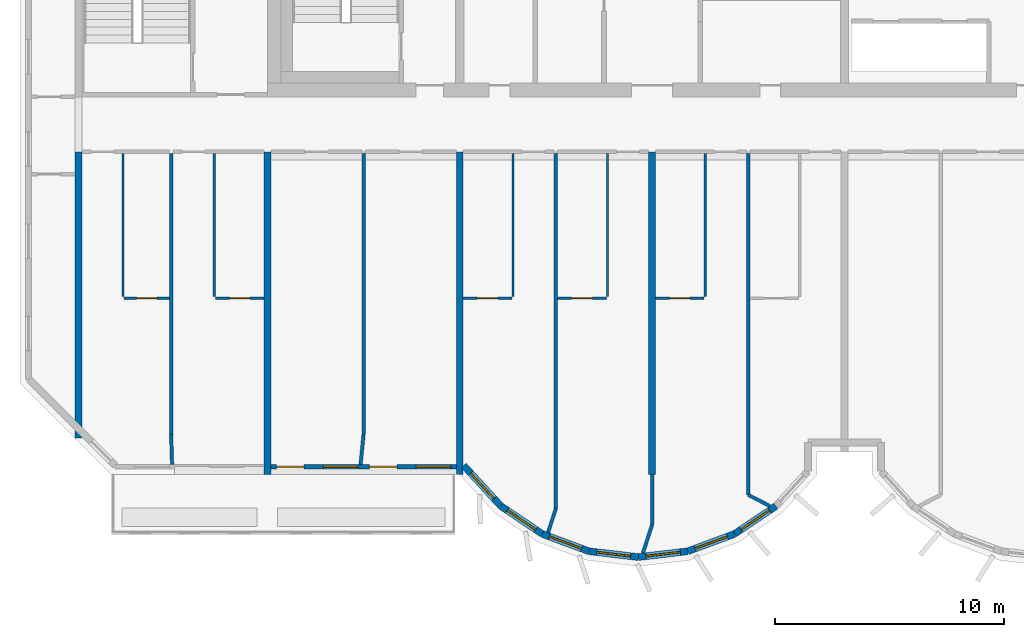
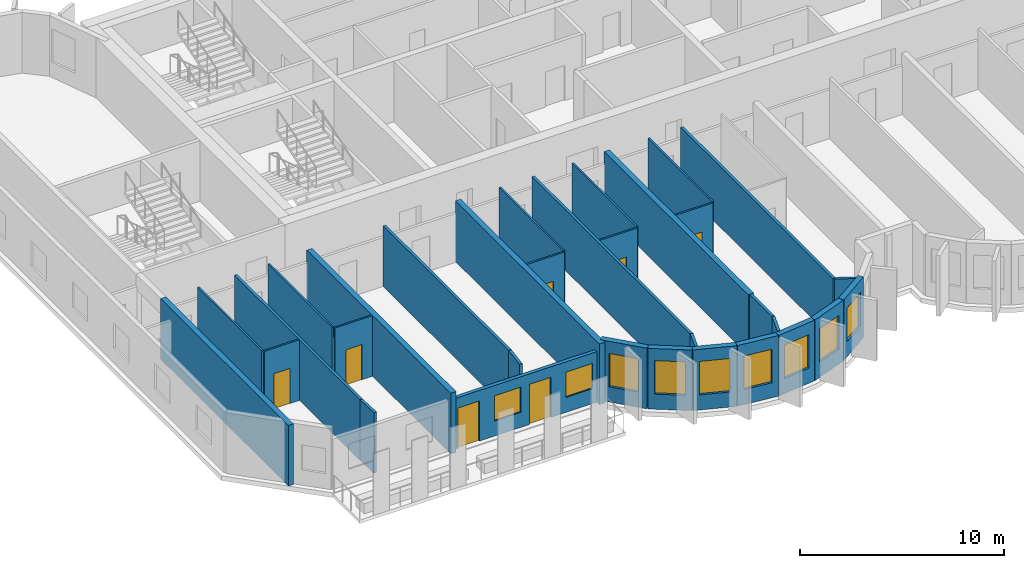
# One storey, part 2 of 12: 32 walls, 9 windows, 7 doors, 16 openings.
"""IFC4 building model written with IfcOpenShell, lengths in metres."""

from ifc_helpers import new_model, si_unit, direction, frame, frame_2d, origin, place, context, subcontext, project, spatial, rectangle, extrude, source, transform, mapped, material, layer, layer_set, type_object, element, fill, save


model = new_model("IFC4")

# Units and contexts
model_context = context("Model", 3, precision=1e-05, world=origin(), true_north=direction((0.0, 1.0)))
body_context = subcontext(model_context, "Body", "Model", "MODEL_VIEW")
ifc_project = project(units=[si_unit("LENGTHUNIT", "METRE"), si_unit("AREAUNIT", "SQUARE_METRE"), si_unit("VOLUMEUNIT", "CUBIC_METRE"), si_unit("PLANEANGLEUNIT", "RADIAN"), si_unit("MASSUNIT", "GRAM", prefix="KILO")], contexts=[model_context])

# Site, building, storey
site_placement = place(None, origin())
site = spatial("IfcSite", under=ifc_project, at=site_placement, CompositionType="ELEMENT")
building_placement = place(site_placement, origin())
building = spatial("IfcBuilding", under=site, at=building_placement, Name="Vanashikhar Sky Hotel", CompositionType="ELEMENT")
storey_placement = place(building_placement, frame((0.0, 0.0, 237.39990234375)))
storey = spatial("IfcBuildingStorey", under=building, at=storey_placement, Name="L57", CompositionType="ELEMENT", Elevation=237.39990234375)

# Walls
ifc_material_1 = material(Name="Concrete M60", Category="concrete")
ifc_layer_1 = layer(ifc_material_1, 0.300048828125)
ifc_layer_set_1 = layer_set([ifc_layer_1], Name="RC shear wall 300 Concrete M60")
wall_type_1 = type_object("IfcWallType", Name="RC shear wall 300 Concrete M60", PredefinedType="SHEAR", material=ifc_layer_set_1)
shared_shape_1 = source(origin(), body_context, "Body", "SweptSolid", [
    extrude(rectangle(XDim=12.5, YDim=0.300048828125, at=frame_2d((6.25, 0.0))), origin(), (0.0, 0.0, 1.0), 3.6201171875),
])
wall_1_placement = place(storey_placement, frame((16.949951171875, 7.10009765625, 0.0), z_axis=(0.0, 0.0, 1.0), x_axis=(0.0, 1.0, 0.0)))
element("IfcWall", 1, at=wall_1_placement, inside=storey, type_object=wall_type_1, Name="CW-L57-XW03-1", PredefinedType="SHEAR", context=body_context, shape_type="MappedRepresentation", body=[
    mapped(shared_shape_1, transform((0.0, 0.0, 0.0), scale=1.0)),
])
shared_shape_2 = source(origin(), body_context, "Body", "SweptSolid", [
    extrude(rectangle(XDim=14.10009765625, YDim=0.300048828125, at=frame_2d((7.050048828125, 0.0))), origin(), (0.0, 0.0, 1.0), 3.6201171875),
])
for number, where, z_axis, x_axis, name in (
    (2, (25.199951171875, 5.5, 0.0), (0.0, 0.0, 1.0), (0.0, 1.0, 0.0), "CW-L57-XW04-1"),
    (3, (33.60009765625, 5.5, 0.0), (0.0, 0.0, 1.0), (0.0, 1.0, 0.0), "CW-L57-XW05-1"),
    (4, (42.0, 5.5, 0.0), (0.0, 0.0, 1.0), (0.0, 1.0, 0.0), "CW-L57-XW06-1"),
):
    element("IfcWall", number, at=place(storey_placement, frame(where, z_axis=z_axis, x_axis=x_axis)), inside=storey, type_object=wall_type_1, Name=name, PredefinedType="SHEAR", context=body_context, shape_type="MappedRepresentation", body=[
        mapped(shared_shape_2, transform((0.0, 0.0, 0.0), scale=1.0)),
    ])

# Wall, openings, windows, doors
ifc_material_2 = material(Name="Concrete M50", Category="concrete")
ifc_layer_2 = layer(ifc_material_2, 0.199951171875)
ifc_layer_set_2 = layer_set([ifc_layer_2], Name="Front window wall 200")
wall_type_2 = type_object("IfcWallType", Name="Front window wall 200", PredefinedType="SOLIDWALL", material=ifc_layer_set_2)
shared_shape_3 = source(origin(), body_context, "Body", "SweptSolid", [
    extrude(rectangle(XDim=8.099853515625, YDim=0.199951171875, at=frame_2d((4.0498046875, 0.0))), origin(), (0.0, 0.0, 1.0), 3.02001953125),
])
wall_2_placement = place(storey_placement, frame((25.35009765625, 5.85009765625, 0.0), z_axis=(0.0, 0.0, 1.0), x_axis=(1.0, 0.0, 0.0)))
wall_2 = element("IfcWall", 5, at=wall_2_placement, inside=storey, type_object=wall_type_2, Name="Front window wall", PredefinedType="SOLIDWALL", context=body_context, shape_type="MappedRepresentation", body=[
    mapped(shared_shape_3, transform((0.0, 0.0, 0.0), scale=1.0)),
])
shared_shape_4 = source(origin(), body_context, "Body", "SweptSolid", [
    extrude(rectangle(XDim=1.199951171875, YDim=2.39990234375, at=frame_2d((0.60009765625, 1.199951171875))), frame((0.0, 0.10986328125, 0.0), z_axis=(0.0, -1.0, 0.0), x_axis=(1.0, 0.0, 0.0)), (0.0, 0.0, 1.0), 0.219970703125),
])
opening_1_placement = place(wall_2_placement, frame((0.25, 0.0, 0.0)))
opening_1 = element("IfcOpeningElement", 6, at=opening_1_placement, cuts=wall_2, Name="Opening BD-01", PredefinedType="OPENING", context=body_context, shape_type="MappedRepresentation", body=[
    mapped(shared_shape_4, transform((0.0, 0.0, 0.0), scale=1.0)),
])
shared_shape_5 = source(origin(), body_context, "Body", "SweptSolid", [
    extrude(rectangle(XDim=1.5, YDim=1.5, at=frame_2d((0.75, 0.75))), frame((0.0, 0.10986328125, 0.0), z_axis=(0.0, -1.0, 0.0), x_axis=(1.0, 0.0, 0.0)), (0.0, 0.0, 1.0), 0.219970703125),
])
opening_2_placement = place(wall_2_placement, frame((2.300048828125, 0.0, 0.89990234375)))
opening_2 = element("IfcOpeningElement", 7, at=opening_2_placement, cuts=wall_2, Name="Opening WN-1", PredefinedType="OPENING", context=body_context, shape_type="MappedRepresentation", body=[
    mapped(shared_shape_5, transform((0.0, 0.0, 0.0), scale=1.0)),
])
opening_3_placement = place(wall_2_placement, frame((4.300048828125, 0.0, 0.0)))
opening_3 = element("IfcOpeningElement", 8, at=opening_3_placement, cuts=wall_2, Name="Opening BD-02", PredefinedType="OPENING", context=body_context, shape_type="MappedRepresentation", body=[
    mapped(shared_shape_4, transform((0.0, 0.0, 0.0), scale=1.0)),
])
opening_4_placement = place(wall_2_placement, frame((6.35009765625, 0.0, 0.89990234375)))
opening_4 = element("IfcOpeningElement", 9, at=opening_4_placement, cuts=wall_2, Name="Opening WN-1", PredefinedType="OPENING", context=body_context, shape_type="MappedRepresentation", body=[
    mapped(shared_shape_5, transform((0.0, 0.0, 0.0), scale=1.0)),
])
ifc_material_3 = material(Name="Glass", Category="glass")
window_type_1 = type_object("IfcWindowType", Name="Window 1500 x 1500", PartitioningType="SINGLE_PANEL", PredefinedType="WINDOW", material=ifc_material_3)
shared_shape_6 = source(origin(), body_context, "Body", "SweptSolid", [
    extrude(rectangle(XDim=1.5, YDim=1.5, at=frame_2d((0.75, 0.75))), frame((0.0, 0.030029296875, 0.0), z_axis=(0.0, -1.0, 0.0), x_axis=(1.0, 0.0, 0.0)), (0.0, 0.0, 1.0), 0.06005859375),
])
window_1_placement = place(opening_2_placement, origin())
window_1 = element("IfcWindow", 10, at=window_1_placement, inside=storey, type_object=window_type_1, Name="Window WN-1", OverallHeight=1.5, OverallWidth=1.5, PartitioningType="SINGLE_PANEL", PredefinedType="WINDOW", context=body_context, shape_type="MappedRepresentation", body=[
    mapped(shared_shape_6, transform((0.0, 0.0, 0.0), scale=1.0)),
])
fill(opening_2, window_1)
window_2_placement = place(opening_4_placement, origin())
window_2 = element("IfcWindow", 11, at=window_2_placement, inside=storey, type_object=window_type_1, Name="Window WN-1", OverallHeight=1.5, OverallWidth=1.5, PartitioningType="SINGLE_PANEL", PredefinedType="WINDOW", context=body_context, shape_type="MappedRepresentation", body=[
    mapped(shared_shape_6, transform((0.0, 0.0, 0.0), scale=1.0)),
])
fill(opening_4, window_2)
ifc_material_4 = material(Name="Aluminium", Category="aluminium")
door_type_1 = type_object("IfcDoorType", Name="Balcony sliding door 1200 x 2400", OperationType="NOTDEFINED", PredefinedType="DOOR", material=ifc_material_4)
shared_shape_7 = source(origin(), body_context, "Body", "SweptSolid", [
    extrude(rectangle(XDim=1.199951171875, YDim=2.39990234375, at=frame_2d((0.60009765625, 1.199951171875))), frame((0.0, 0.02490234375, 0.0), z_axis=(0.0, -1.0, 0.0), x_axis=(1.0, 0.0, 0.0)), (0.0, 0.0, 1.0), 0.050048828125),
])
door_1_placement = place(opening_1_placement, origin())
door_1 = element("IfcDoor", 12, at=door_1_placement, inside=storey, type_object=door_type_1, Name="Balcony sliding door", OperationType="SLIDING_TO_LEFT", OverallHeight=2.39990234375, OverallWidth=1.199951171875, PredefinedType="DOOR", context=body_context, shape_type="MappedRepresentation", body=[
    mapped(shared_shape_7, transform((0.0, 0.0, 0.0), scale=1.0)),
])
fill(opening_1, door_1)
door_2_placement = place(opening_3_placement, origin())
door_2 = element("IfcDoor", 13, at=door_2_placement, inside=storey, type_object=door_type_1, Name="Balcony sliding door", OperationType="SLIDING_TO_RIGHT", OverallHeight=2.39990234375, OverallWidth=1.199951171875, PredefinedType="DOOR", context=body_context, shape_type="MappedRepresentation", body=[
    mapped(shared_shape_7, transform((0.0, 0.0, 0.0), scale=1.0)),
])
fill(opening_3, door_2)

# Wall, opening, window
ifc_layer_3 = layer(ifc_material_2, 0.300048828125)
ifc_layer_set_3 = layer_set([ifc_layer_3], Name="Lobe wall 300")
wall_type_3 = type_object("IfcWallType", Name="Lobe wall 300", PredefinedType="SOLIDWALL", material=ifc_layer_set_3)
shared_shape_8 = source(origin(), body_context, "Body", "SweptSolid", [
    extrude(rectangle(XDim=2.398193359375, YDim=0.300048828125, at=frame_2d((1.19921875, 0.0))), origin(), (0.0, 0.0, 1.0), 3.6201171875),
])
wall_3_placement = place(storey_placement, frame((33.776123046875, 5.89990234375, 0.0), z_axis=(0.0, 0.0, 1.0), x_axis=(0.675374189419, -0.737475222815, 0.0)))
wall_3 = element("IfcWall", 14, at=wall_3_placement, inside=storey, type_object=wall_type_3, Name="Lobe wall", PredefinedType="SOLIDWALL", context=body_context, shape_type="MappedRepresentation", body=[
    mapped(shared_shape_8, transform((0.0, 0.0, 0.0), scale=1.0)),
])
shared_shape_9 = source(origin(), body_context, "Body", "SweptSolid", [
    extrude(rectangle(XDim=1.5, YDim=2.0, at=frame_2d((0.75, 1.0))), frame((0.0, 0.16015625, 0.0), z_axis=(0.0, -1.0, 0.0), x_axis=(1.0, 0.0, 0.0)), (0.0, 0.0, 1.0), 0.320068359375),
])
opening_5_placement = place(wall_3_placement, frame((0.44921875, 0.0, 0.89990234375)))
opening_5 = element("IfcOpeningElement", 15, at=opening_5_placement, cuts=wall_3, Name="Opening WN-2", PredefinedType="OPENING", context=body_context, shape_type="MappedRepresentation", body=[
    mapped(shared_shape_9, transform((0.0, 0.0, 0.0), scale=1.0)),
])
window_type_2 = type_object("IfcWindowType", Name="Lobe window 1500 x 2000", PartitioningType="SINGLE_PANEL", PredefinedType="WINDOW", material=ifc_material_3)
shared_shape_10 = source(origin(), body_context, "Body", "SweptSolid", [
    extrude(rectangle(XDim=1.5, YDim=2.0, at=frame_2d((0.75, 1.0))), frame((0.0, 0.030029296875, 0.0), z_axis=(0.0, -1.0, 0.0), x_axis=(1.0, 0.0, 0.0)), (0.0, 0.0, 1.0), 0.06005859375),
])
window_3_placement = place(opening_5_placement, origin())
window_3 = element("IfcWindow", 16, at=window_3_placement, inside=storey, type_object=window_type_2, Name="Window WN-2", OverallHeight=2.0, OverallWidth=1.5, PartitioningType="SINGLE_PANEL", PredefinedType="WINDOW", context=body_context, shape_type="MappedRepresentation", body=[
    mapped(shared_shape_10, transform((0.0, 0.0, 0.0), scale=1.0)),
])
fill(opening_5, window_3)

shared_shape_11 = source(origin(), body_context, "Body", "SweptSolid", [
    extrude(rectangle(XDim=2.17578125, YDim=0.300048828125, at=frame_2d((1.087890625, 0.0))), origin(), (0.0, 0.0, 1.0), 3.6201171875),
])
wall_4_placement = place(storey_placement, frame((35.395751953125, 4.13134765625, 0.0), z_axis=(0.0, 0.0, 1.0), x_axis=(0.829590746428, -0.558371913192, 0.0)))
wall_4 = element("IfcWall", 17, at=wall_4_placement, inside=storey, type_object=wall_type_3, Name="Lobe wall", PredefinedType="SOLIDWALL", context=body_context, shape_type="MappedRepresentation", body=[
    mapped(shared_shape_11, transform((0.0, 0.0, 0.0), scale=1.0)),
])
opening_6_placement = place(wall_4_placement, frame((0.337890625, 0.0, 0.89990234375)))
opening_6 = element("IfcOpeningElement", 18, at=opening_6_placement, cuts=wall_4, Name="Opening WN-2", PredefinedType="OPENING", context=body_context, shape_type="MappedRepresentation", body=[
    mapped(shared_shape_9, transform((0.0, 0.0, 0.0), scale=1.0)),
])
window_4_placement = place(opening_6_placement, origin())
window_4 = element("IfcWindow", 19, at=window_4_placement, inside=storey, type_object=window_type_2, Name="Window WN-2", OverallHeight=2.0, OverallWidth=1.5, PartitioningType="SINGLE_PANEL", PredefinedType="WINDOW", context=body_context, shape_type="MappedRepresentation", body=[
    mapped(shared_shape_10, transform((0.0, 0.0, 0.0), scale=1.0)),
])
fill(opening_6, window_4)

wall_5_placement = place(storey_placement, frame((37.20068359375, 2.91650390625, 0.0), z_axis=(0.0, 0.0, 1.0), x_axis=(0.93754555999, -0.347862505801, 0.0)))
wall_5 = element("IfcWall", 20, at=wall_5_placement, inside=storey, type_object=wall_type_3, Name="Lobe wall", PredefinedType="SOLIDWALL", context=body_context, shape_type="MappedRepresentation", body=[
    mapped(shared_shape_11, transform((0.0, 0.0, 0.0), scale=1.0)),
])
opening_7_placement = place(wall_5_placement, frame((0.337890625, 0.0, 0.89990234375)))
opening_7 = element("IfcOpeningElement", 21, at=opening_7_placement, cuts=wall_5, Name="Opening WN-2", PredefinedType="OPENING", context=body_context, shape_type="MappedRepresentation", body=[
    mapped(shared_shape_9, transform((0.0, 0.0, 0.0), scale=1.0)),
])
window_5_placement = place(opening_7_placement, origin())
window_5 = element("IfcWindow", 22, at=window_5_placement, inside=storey, type_object=window_type_2, Name="Window WN-2", OverallHeight=2.0, OverallWidth=1.5, PartitioningType="SINGLE_PANEL", PredefinedType="WINDOW", context=body_context, shape_type="MappedRepresentation", body=[
    mapped(shared_shape_10, transform((0.0, 0.0, 0.0), scale=1.0)),
])
fill(opening_7, window_5)

wall_6_placement = place(storey_placement, frame((45.59912109375, 2.91650390625, 0.0), z_axis=(0.0, 0.0, 1.0), x_axis=(0.829625727223, 0.558319937607, 0.0)))
wall_6 = element("IfcWall", 23, at=wall_6_placement, inside=storey, type_object=wall_type_3, Name="Lobe wall", PredefinedType="SOLIDWALL", context=body_context, shape_type="MappedRepresentation", body=[
    mapped(shared_shape_11, transform((0.0, 0.0, 0.0), scale=1.0)),
])
opening_8_placement = place(wall_6_placement, frame((0.337890625, 0.0, 0.89990234375)))
opening_8 = element("IfcOpeningElement", 24, at=opening_8_placement, cuts=wall_6, Name="Opening WN-2", PredefinedType="OPENING", context=body_context, shape_type="MappedRepresentation", body=[
    mapped(shared_shape_9, transform((0.0, 0.0, 0.0), scale=1.0)),
])
window_6_placement = place(opening_8_placement, origin())
window_6 = element("IfcWindow", 25, at=window_6_placement, inside=storey, type_object=window_type_2, Name="Window WN-2", OverallHeight=2.0, OverallWidth=1.5, PartitioningType="SINGLE_PANEL", PredefinedType="WINDOW", context=body_context, shape_type="MappedRepresentation", body=[
    mapped(shared_shape_10, transform((0.0, 0.0, 0.0), scale=1.0)),
])
fill(opening_8, window_6)

shared_shape_12 = source(origin(), body_context, "Body", "SweptSolid", [
    extrude(rectangle(XDim=2.174560546875, YDim=0.300048828125, at=frame_2d((1.08740234375, 0.0))), origin(), (0.0, 0.0, 1.0), 3.6201171875),
])
wall_7_placement = place(storey_placement, frame((39.240478515625, 2.15966796875, 0.0), z_axis=(0.0, 0.0, 1.0), x_axis=(0.993001132889, -0.118104826659, 0.0)))
wall_7 = element("IfcWall", 26, at=wall_7_placement, inside=storey, type_object=wall_type_3, Name="Lobe wall", PredefinedType="SOLIDWALL", context=body_context, shape_type="MappedRepresentation", body=[
    mapped(shared_shape_12, transform((0.0, 0.0, 0.0), scale=1.0)),
])
opening_9_placement = place(wall_7_placement, frame((0.33740234375, 0.0, 0.89990234375)))
opening_9 = element("IfcOpeningElement", 27, at=opening_9_placement, cuts=wall_7, Name="Opening WN-2", PredefinedType="OPENING", context=body_context, shape_type="MappedRepresentation", body=[
    mapped(shared_shape_9, transform((0.0, 0.0, 0.0), scale=1.0)),
])
window_7_placement = place(opening_9_placement, origin())
window_7 = element("IfcWindow", 28, at=window_7_placement, inside=storey, type_object=window_type_2, Name="Window WN-2", OverallHeight=2.0, OverallWidth=1.5, PartitioningType="SINGLE_PANEL", PredefinedType="WINDOW", context=body_context, shape_type="MappedRepresentation", body=[
    mapped(shared_shape_10, transform((0.0, 0.0, 0.0), scale=1.0)),
])
fill(opening_9, window_7)

shared_shape_13 = source(origin(), body_context, "Body", "SweptSolid", [
    extrude(rectangle(XDim=2.1748046875, YDim=0.300048828125, at=frame_2d((1.08740234375, 0.0))), origin(), (0.0, 0.0, 1.0), 3.6201171875),
])
wall_8_placement = place(storey_placement, frame((41.39990234375, 1.90283203125, 0.0), z_axis=(0.0, 0.0, 1.0), x_axis=(0.993002698611, 0.118091661648, 0.0)))
wall_8 = element("IfcWall", 29, at=wall_8_placement, inside=storey, type_object=wall_type_3, Name="Lobe wall", PredefinedType="SOLIDWALL", context=body_context, shape_type="MappedRepresentation", body=[
    mapped(shared_shape_13, transform((0.0, 0.0, 0.0), scale=1.0)),
])
opening_10_placement = place(wall_8_placement, frame((0.33740234375, 0.0, 0.89990234375)))
opening_10 = element("IfcOpeningElement", 30, at=opening_10_placement, cuts=wall_8, Name="Opening WN-2", PredefinedType="OPENING", context=body_context, shape_type="MappedRepresentation", body=[
    mapped(shared_shape_9, transform((0.0, 0.0, 0.0), scale=1.0)),
])
window_8_placement = place(opening_10_placement, origin())
window_8 = element("IfcWindow", 31, at=window_8_placement, inside=storey, type_object=window_type_2, Name="Window WN-2", OverallHeight=2.0, OverallWidth=1.5, PartitioningType="SINGLE_PANEL", PredefinedType="WINDOW", context=body_context, shape_type="MappedRepresentation", body=[
    mapped(shared_shape_10, transform((0.0, 0.0, 0.0), scale=1.0)),
])
fill(opening_10, window_8)

shared_shape_14 = source(origin(), body_context, "Body", "SweptSolid", [
    extrude(rectangle(XDim=2.175537109375, YDim=0.300048828125, at=frame_2d((1.087890625, 0.0))), origin(), (0.0, 0.0, 1.0), 3.6201171875),
])
wall_9_placement = place(storey_placement, frame((43.5595703125, 2.15966796875, 0.0), z_axis=(0.0, 0.0, 1.0), x_axis=(0.937531979054, 0.347899106424, 0.0)))
wall_9 = element("IfcWall", 32, at=wall_9_placement, inside=storey, type_object=wall_type_3, Name="Lobe wall", PredefinedType="SOLIDWALL", context=body_context, shape_type="MappedRepresentation", body=[
    mapped(shared_shape_14, transform((0.0, 0.0, 0.0), scale=1.0)),
])
opening_11_placement = place(wall_9_placement, frame((0.337890625, 0.0, 0.89990234375)))
opening_11 = element("IfcOpeningElement", 33, at=opening_11_placement, cuts=wall_9, Name="Opening WN-2", PredefinedType="OPENING", context=body_context, shape_type="MappedRepresentation", body=[
    mapped(shared_shape_9, transform((0.0, 0.0, 0.0), scale=1.0)),
])
window_9_placement = place(opening_11_placement, origin())
window_9 = element("IfcWindow", 34, at=window_9_placement, inside=storey, type_object=window_type_2, Name="Window WN-2", OverallHeight=2.0, OverallWidth=1.5, PartitioningType="SINGLE_PANEL", PredefinedType="WINDOW", context=body_context, shape_type="MappedRepresentation", body=[
    mapped(shared_shape_10, transform((0.0, 0.0, 0.0), scale=1.0)),
])
fill(opening_11, window_9)

# Wall, opening, door
ifc_material_5 = material(Name="Gypsum plasterboard partition")
ifc_layer_4 = layer(ifc_material_5, 0.10009765625)
ifc_layer_set_4 = layer_set([ifc_layer_4], Name="Wet room partition 100")
wall_type_4 = type_object("IfcWallType", Name="Wet room partition 100", PredefinedType="PARTITIONING", material=ifc_layer_set_4)
shared_shape_15 = source(origin(), body_context, "Body", "SweptSolid", [
    extrude(rectangle(XDim=1.97509765625, YDim=0.10009765625, at=frame_2d((0.987548828125, 0.0))), origin(), (0.0, 0.0, 1.0), 3.6201171875),
])
wall_10_placement = place(storey_placement, frame((18.949951171875, 13.199951171875, 0.0), z_axis=(0.0, 0.0, 1.0), x_axis=(1.0, 0.0, 0.0)))
wall_10 = element("IfcWall", 35, at=wall_10_placement, inside=storey, type_object=wall_type_4, Name="W-L57-PW002", PredefinedType="PARTITIONING", context=body_context, shape_type="MappedRepresentation", body=[
    mapped(shared_shape_15, transform((0.0, 0.0, 0.0), scale=1.0)),
])
shared_shape_16 = source(origin(), body_context, "Body", "SweptSolid", [
    extrude(rectangle(XDim=0.89990234375, YDim=2.10009765625, at=frame_2d((0.449951171875, 1.050048828125))), frame((0.0, 0.06005859375, 0.0), z_axis=(0.0, -1.0, 0.0), x_axis=(1.0, 0.0, 0.0)), (0.0, 0.0, 1.0), 0.1201171875),
])
opening_12_placement = place(wall_10_placement, frame((0.5380859375, 0.0, 0.0)))
opening_12 = element("IfcOpeningElement", 36, at=opening_12_placement, cuts=wall_10, Name="Opening D-02", PredefinedType="OPENING", context=body_context, shape_type="MappedRepresentation", body=[
    mapped(shared_shape_16, transform((0.0, 0.0, 0.0), scale=1.0)),
])
ifc_material_6 = material(Name="Timber door", Category="wood")
door_type_2 = type_object("IfcDoorType", Name="Internal door 900", OperationType="NOTDEFINED", PredefinedType="DOOR", material=ifc_material_6)
shared_shape_17 = source(origin(), body_context, "Body", "SweptSolid", [
    extrude(rectangle(XDim=0.89990234375, YDim=2.10009765625, at=frame_2d((0.449951171875, 1.050048828125))), frame((0.0, 0.02490234375, 0.0), z_axis=(0.0, -1.0, 0.0), x_axis=(1.0, 0.0, 0.0)), (0.0, 0.0, 1.0), 0.050048828125),
])
door_3_placement = place(opening_12_placement, origin())
door_3 = element("IfcDoor", 37, at=door_3_placement, inside=storey, type_object=door_type_2, Name="D-L57-001", OperationType="SINGLE_SWING_LEFT", OverallHeight=2.10009765625, OverallWidth=0.89990234375, PredefinedType="DOOR", context=body_context, shape_type="MappedRepresentation", body=[
    mapped(shared_shape_17, transform((0.0, 0.0, 0.0), scale=1.0)),
])
fill(opening_12, door_3)

shared_shape_18 = source(origin(), body_context, "Body", "SweptSolid", [
    extrude(rectangle(XDim=2.125, YDim=0.10009765625, at=frame_2d((1.0625, 0.0))), origin(), (0.0, 0.0, 1.0), 3.6201171875),
])
wall_11_placement = place(storey_placement, frame((22.925048828125, 13.199951171875, 0.0), z_axis=(0.0, 0.0, 1.0), x_axis=(1.0, 0.0, 0.0)))
wall_11 = element("IfcWall", 38, at=wall_11_placement, inside=storey, type_object=wall_type_4, Name="W-L57-PW005", PredefinedType="PARTITIONING", context=body_context, shape_type="MappedRepresentation", body=[
    mapped(shared_shape_18, transform((0.0, 0.0, 0.0), scale=1.0)),
])
opening_13_placement = place(wall_11_placement, frame((0.613037109375, 0.0, 0.0)))
opening_13 = element("IfcOpeningElement", 39, at=opening_13_placement, cuts=wall_11, Name="Opening D-02", PredefinedType="OPENING", context=body_context, shape_type="MappedRepresentation", body=[
    mapped(shared_shape_16, transform((0.0, 0.0, 0.0), scale=1.0)),
])
door_4_placement = place(opening_13_placement, origin())
door_4 = element("IfcDoor", 40, at=door_4_placement, inside=storey, type_object=door_type_2, Name="D-L57-003", OperationType="SINGLE_SWING_LEFT", OverallHeight=2.10009765625, OverallWidth=0.89990234375, PredefinedType="DOOR", context=body_context, shape_type="MappedRepresentation", body=[
    mapped(shared_shape_17, transform((0.0, 0.0, 0.0), scale=1.0)),
])
fill(opening_13, door_4)

wall_12_placement = place(storey_placement, frame((33.75, 13.199951171875, 0.0), z_axis=(0.0, 0.0, 1.0), x_axis=(1.0, 0.0, 0.0)))
wall_12 = element("IfcWall", 41, at=wall_12_placement, inside=storey, type_object=wall_type_4, Name="W-L57-PW012", PredefinedType="PARTITIONING", context=body_context, shape_type="MappedRepresentation", body=[
    mapped(shared_shape_18, transform((0.0, 0.0, 0.0), scale=1.0)),
])
opening_14_placement = place(wall_12_placement, frame((0.612060546875, 0.0, 0.0)))
opening_14 = element("IfcOpeningElement", 42, at=opening_14_placement, cuts=wall_12, Name="Opening D-02", PredefinedType="OPENING", context=body_context, shape_type="MappedRepresentation", body=[
    mapped(shared_shape_16, transform((0.0, 0.0, 0.0), scale=1.0)),
])
door_5_placement = place(opening_14_placement, origin())
door_5 = element("IfcDoor", 43, at=door_5_placement, inside=storey, type_object=door_type_2, Name="D-L57-007", OperationType="SINGLE_SWING_RIGHT", OverallHeight=2.10009765625, OverallWidth=0.89990234375, PredefinedType="DOOR", context=body_context, shape_type="MappedRepresentation", body=[
    mapped(shared_shape_17, transform((0.0, 0.0, 0.0), scale=1.0)),
])
fill(opening_14, door_5)

wall_13_placement = place(storey_placement, frame((37.875, 13.199951171875, 0.0), z_axis=(0.0, 0.0, 1.0), x_axis=(1.0, 0.0, 0.0)))
wall_13 = element("IfcWall", 44, at=wall_13_placement, inside=storey, type_object=wall_type_4, Name="W-L57-PW015", PredefinedType="PARTITIONING", context=body_context, shape_type="MappedRepresentation", body=[
    mapped(shared_shape_18, transform((0.0, 0.0, 0.0), scale=1.0)),
])
opening_15_placement = place(wall_13_placement, frame((0.612060546875, 0.0, 0.0)))
opening_15 = element("IfcOpeningElement", 45, at=opening_15_placement, cuts=wall_13, Name="Opening D-02", PredefinedType="OPENING", context=body_context, shape_type="MappedRepresentation", body=[
    mapped(shared_shape_16, transform((0.0, 0.0, 0.0), scale=1.0)),
])
door_6_placement = place(opening_15_placement, origin())
door_6 = element("IfcDoor", 46, at=door_6_placement, inside=storey, type_object=door_type_2, Name="D-L57-009", OperationType="SINGLE_SWING_RIGHT", OverallHeight=2.10009765625, OverallWidth=0.89990234375, PredefinedType="DOOR", context=body_context, shape_type="MappedRepresentation", body=[
    mapped(shared_shape_17, transform((0.0, 0.0, 0.0), scale=1.0)),
])
fill(opening_15, door_6)

wall_14_placement = place(storey_placement, frame((42.14990234375, 13.199951171875, 0.0), z_axis=(0.0, 0.0, 1.0), x_axis=(1.0, 0.0, 0.0)))
wall_14 = element("IfcWall", 47, at=wall_14_placement, inside=storey, type_object=wall_type_4, Name="W-L57-PW019", PredefinedType="PARTITIONING", context=body_context, shape_type="MappedRepresentation", body=[
    mapped(shared_shape_18, transform((0.0, 0.0, 0.0), scale=1.0)),
])
opening_16_placement = place(wall_14_placement, frame((0.613037109375, 0.0, 0.0)))
opening_16 = element("IfcOpeningElement", 48, at=opening_16_placement, cuts=wall_14, Name="Opening D-02", PredefinedType="OPENING", context=body_context, shape_type="MappedRepresentation", body=[
    mapped(shared_shape_16, transform((0.0, 0.0, 0.0), scale=1.0)),
])
door_7_placement = place(opening_16_placement, origin())
door_7 = element("IfcDoor", 49, at=door_7_placement, inside=storey, type_object=door_type_2, Name="D-L57-011", OperationType="SINGLE_SWING_RIGHT", OverallHeight=2.10009765625, OverallWidth=0.89990234375, PredefinedType="DOOR", context=body_context, shape_type="MappedRepresentation", body=[
    mapped(shared_shape_17, transform((0.0, 0.0, 0.0), scale=1.0)),
])
fill(opening_16, door_7)

# Walls
ifc_layer_5 = layer(ifc_material_5, 0.14990234375)
ifc_layer_set_5 = layer_set([ifc_layer_5], Name="Corridor and demising partition 150")
wall_type_5 = type_object("IfcWallType", Name="Corridor and demising partition 150", PredefinedType="PARTITIONING", material=ifc_layer_set_5)
shared_shape_19 = source(origin(), body_context, "Body", "SweptSolid", [
    extrude(rectangle(XDim=12.27490234375, YDim=0.14990234375, at=frame_2d((6.137451171875, 0.0))), origin(), (0.0, 0.0, 1.0), 3.6201171875),
])
for number, where, z_axis, x_axis, name in (
    (50, (21.0, 7.25, 0.0), (0.0, 0.0, 1.0), (0.0, 1.0, 0.0), "W-L57-PW007"),
    (51, (29.39990234375, 7.25, 0.0), (0.0, 0.0, 1.0), (0.0, 1.0, 0.0), "W-L57-PW010"),
):
    element("IfcWall", number, at=place(storey_placement, frame(where, z_axis=z_axis, x_axis=x_axis)), inside=storey, type_object=wall_type_5, Name=name, PredefinedType="PARTITIONING", context=body_context, shape_type="MappedRepresentation", body=[
        mapped(shared_shape_19, transform((0.0, 0.0, 0.0), scale=1.0)),
    ])
shared_shape_20 = source(origin(), body_context, "Body", "SweptSolid", [
    extrude(rectangle(XDim=14.906005859375, YDim=0.14990234375, at=frame_2d((7.453125, 0.0))), origin(), (0.0, 0.0, 1.0), 3.6201171875),
])
wall_15_placement = place(storey_placement, frame((46.199951171875, 4.618896484375, 0.0), z_axis=(0.0, 0.0, 1.0), x_axis=(0.0, 1.0, 0.0)))
element("IfcWall", 52, at=wall_15_placement, inside=storey, type_object=wall_type_5, Name="W-L57-PW024", PredefinedType="PARTITIONING", context=body_context, shape_type="MappedRepresentation", body=[
    mapped(shared_shape_20, transform((0.0, 0.0, 0.0), scale=1.0)),
])
shared_shape_21 = source(origin(), body_context, "Body", "SweptSolid", [
    extrude(rectangle(XDim=15.497802734375, YDim=0.14990234375, at=frame_2d((7.7490234375, 0.0))), origin(), (0.0, 0.0, 1.0), 3.6201171875),
])
wall_16_placement = place(storey_placement, frame((37.800048828125, 4.027099609375, 0.0), z_axis=(0.0, 0.0, 1.0), x_axis=(0.0, 1.0, 0.0)))
element("IfcWall", 53, at=wall_16_placement, inside=storey, type_object=wall_type_5, Name="W-L57-PW017", PredefinedType="PARTITIONING", context=body_context, shape_type="MappedRepresentation", body=[
    mapped(shared_shape_21, transform((0.0, 0.0, 0.0), scale=1.0)),
])
shared_shape_22 = source(origin(), body_context, "Body", "SweptSolid", [
    extrude(rectangle(XDim=2.177978515625, YDim=0.14990234375, at=frame_2d((1.0888671875, 0.0))), origin(), (0.0, 0.0, 1.0), 3.6201171875),
])
wall_17_placement = place(storey_placement, frame((42.0, 3.322021484375, 0.0), z_axis=(0.0, 0.0, 1.0), x_axis=(0.0, 1.0, 0.0)))
element("IfcWall", 54, at=wall_17_placement, inside=storey, type_object=wall_type_5, Name="W-L57-PW039", PredefinedType="PARTITIONING", context=body_context, shape_type="MappedRepresentation", body=[
    mapped(shared_shape_22, transform((0.0, 0.0, 0.0), scale=1.0)),
])
shared_shape_23 = source(origin(), body_context, "Body", "SweptSolid", [
    extrude(rectangle(XDim=1.30078125, YDim=0.14990234375, at=frame_2d((0.650390625, 0.0))), origin(), (0.0, 0.0, 1.0), 3.6201171875),
])
wall_18_placement = place(storey_placement, frame((21.041015625, 5.949951171875, 0.0), z_axis=(0.0, 0.0, 1.0), x_axis=(-0.031533606063, 0.999502692187, 0.0)))
element("IfcWall", 55, at=wall_18_placement, inside=storey, type_object=wall_type_5, Name="W-L57-PW007B0", PredefinedType="PARTITIONING", context=body_context, shape_type="MappedRepresentation", body=[
    mapped(shared_shape_23, transform((0.0, 0.0, 0.0), scale=1.0)),
])
shared_shape_24 = source(origin(), body_context, "Body", "SweptSolid", [
    extrude(rectangle(XDim=1.100830078125, YDim=0.14990234375, at=frame_2d((0.55029296875, 0.0))), origin(), (0.0, 0.0, 1.0), 3.6201171875),
])
wall_19_placement = place(storey_placement, frame((37.45703125, 2.98095703125, 0.0), z_axis=(0.0, 0.0, 1.0), x_axis=(0.311567081539, 0.950224159712, 0.0)))
element("IfcWall", 56, at=wall_19_placement, inside=storey, type_object=wall_type_5, Name="W-L57-PW017B0", PredefinedType="PARTITIONING", context=body_context, shape_type="MappedRepresentation", body=[
    mapped(shared_shape_24, transform((0.0, 0.0, 0.0), scale=1.0)),
])
shared_shape_25 = source(origin(), body_context, "Body", "SweptSolid", [
    extrude(rectangle(XDim=1.306640625, YDim=0.14990234375, at=frame_2d((0.6533203125, 0.0))), origin(), (0.0, 0.0, 1.0), 3.6201171875),
])
wall_20_placement = place(storey_placement, frame((29.27001953125, 5.949951171875, 0.0), z_axis=(0.0, 0.0, 1.0), x_axis=(0.099411212066, 0.995046436562, 0.0)))
element("IfcWall", 57, at=wall_20_placement, inside=storey, type_object=wall_type_5, Name="W-L57-PW010B0", PredefinedType="PARTITIONING", context=body_context, shape_type="MappedRepresentation", body=[
    mapped(shared_shape_25, transform((0.0, 0.0, 0.0), scale=1.0)),
])
shared_shape_26 = source(origin(), body_context, "Body", "SweptSolid", [
    extrude(rectangle(XDim=1.308349609375, YDim=0.14990234375, at=frame_2d((0.654296875, 0.0))), origin(), (0.0, 0.0, 1.0), 3.6201171875),
])
wall_21_placement = place(storey_placement, frame((41.597900390625, 2.076904296875, 0.0), z_axis=(0.0, 0.0, 1.0), x_axis=(0.307313512187, 0.951608325535, 0.0)))
element("IfcWall", 58, at=wall_21_placement, inside=storey, type_object=wall_type_5, Name="W-L57-PW039B0", PredefinedType="PARTITIONING", context=body_context, shape_type="MappedRepresentation", body=[
    mapped(shared_shape_26, transform((0.0, 0.0, 0.0), scale=1.0)),
])
shared_shape_27 = source(origin(), body_context, "Body", "SweptSolid", [
    extrude(rectangle(XDim=1.0576171875, YDim=0.14990234375, at=frame_2d((0.52880859375, 0.0))), origin(), (0.0, 0.0, 1.0), 3.6201171875),
])
wall_22_placement = place(storey_placement, frame((47.139892578125, 4.134033203125, 0.0), z_axis=(0.0, 0.0, 1.0), x_axis=(-0.888723819054, 0.458442988218, 0.0)))
element("IfcWall", 59, at=wall_22_placement, inside=storey, type_object=wall_type_5, Name="W-L57-PW024B0", PredefinedType="PARTITIONING", context=body_context, shape_type="MappedRepresentation", body=[
    mapped(shared_shape_27, transform((0.0, 0.0, 0.0), scale=1.0)),
])
shared_shape_28 = source(origin(), body_context, "Body", "SweptSolid", [
    extrude(rectangle(XDim=6.25, YDim=0.10009765625, at=frame_2d((3.125, 0.0))), origin(), (0.0, 0.0, 1.0), 3.6201171875),
])
for number, where, z_axis, x_axis, name in (
    (60, (18.89990234375, 13.27490234375, 0.0), (0.0, 0.0, 1.0), (0.0, 1.0, 0.0), "W-L57-PW001"),
    (61, (22.875, 13.27490234375, 0.0), (0.0, 0.0, 1.0), (0.0, 1.0, 0.0), "W-L57-PW004"),
    (62, (35.925048828125, 13.27490234375, 0.0), (0.0, 0.0, 1.0), (0.0, 1.0, 0.0), "W-L57-PW011"),
    (63, (40.050048828125, 13.27490234375, 0.0), (0.0, 0.0, 1.0), (0.0, 1.0, 0.0), "W-L57-PW014"),
    (64, (44.324951171875, 13.27490234375, 0.0), (0.0, 0.0, 1.0), (0.0, 1.0, 0.0), "W-L57-PW018"),
):
    element("IfcWall", number, at=place(storey_placement, frame(where, z_axis=z_axis, x_axis=x_axis)), inside=storey, type_object=wall_type_4, Name=name, PredefinedType="PARTITIONING", context=body_context, shape_type="MappedRepresentation", body=[
        mapped(shared_shape_28, transform((0.0, 0.0, 0.0), scale=1.0)),
    ])

save(model, "model.ifc")
